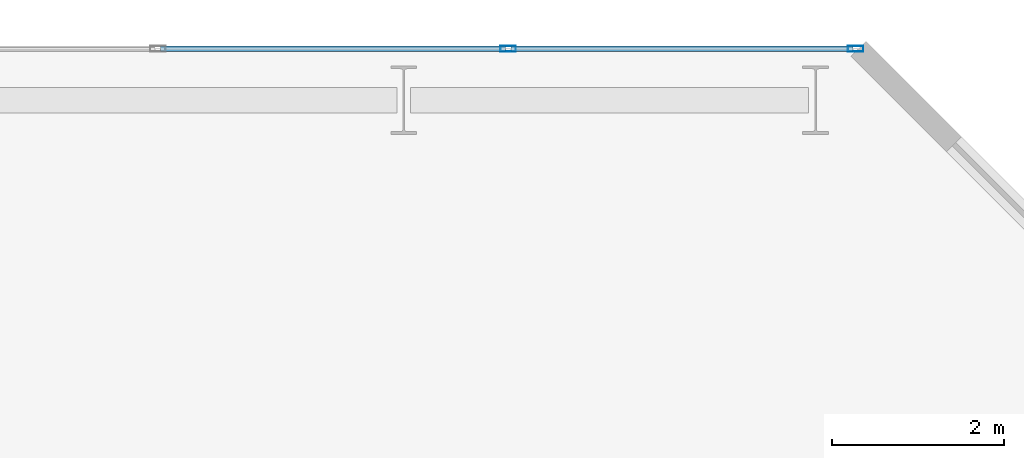
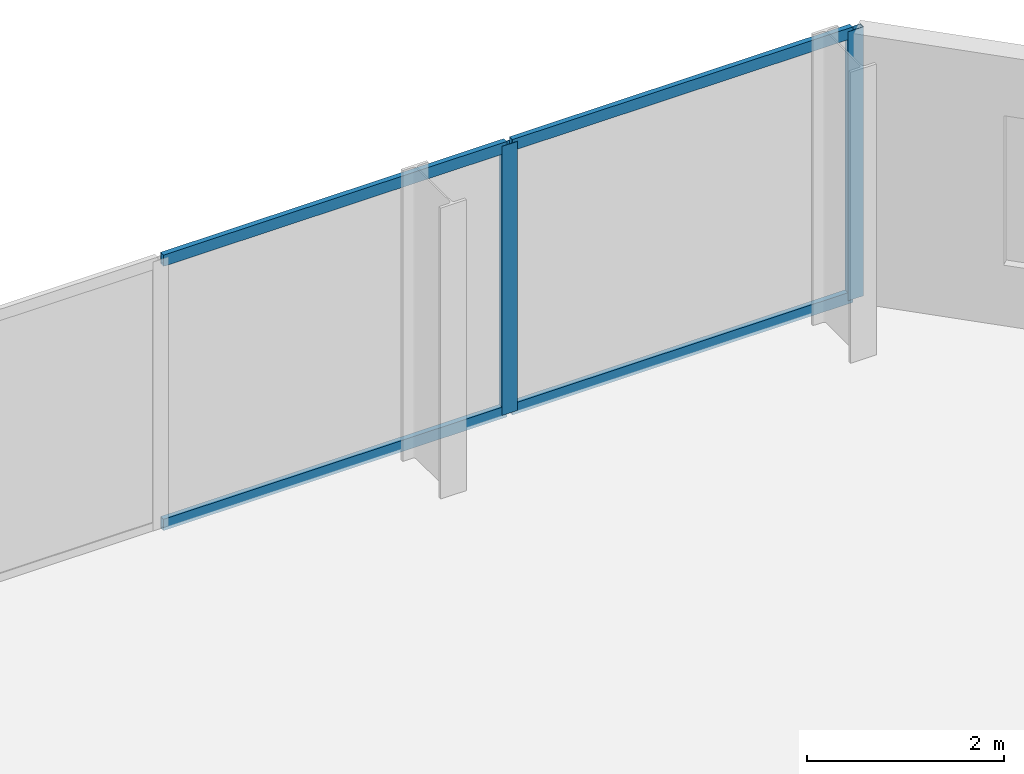
# One storey, part 27 of 33: 6 members, 1 element without a shape of its own.
"""IFC4 building model written with IfcOpenShell, lengths in metres."""

from ifc_helpers import new_model, si_unit, direction, frame, origin, origin_2d, place, context, subcontext, project, spatial, hollow_rectangle, extrude, material, layer, layer_set, material_profile, profile_set, type_object, element, aggregate, save


model = new_model("IFC4")

# Units and contexts
model_context = context("Model", 3, precision=1e-05, world=origin(), true_north=direction((0.0, 1.0)))
body_context = subcontext(model_context, "Body", "Model", "MODEL_VIEW")
ifc_project = project(units=[si_unit("LENGTHUNIT", "METRE"), si_unit("AREAUNIT", "SQUARE_METRE"), si_unit("VOLUMEUNIT", "CUBIC_METRE"), si_unit("PLANEANGLEUNIT", "RADIAN"), si_unit("MASSUNIT", "GRAM", prefix="KILO")], contexts=[model_context])

# Site, building, storey
site_placement = place(None, origin())
site = spatial("IfcSite", under=ifc_project, at=site_placement, CompositionType="ELEMENT")
building_placement = place(site_placement, origin())
building = spatial("IfcBuilding", under=site, at=building_placement, Name="Catumbela Crestline Tower", CompositionType="ELEMENT")
storey_placement = place(building_placement, frame((0.0, 0.0, 72.6)))
storey = spatial("IfcBuildingStorey", under=building, at=storey_placement, Name="L18", CompositionType="ELEMENT", Elevation=72.6)

# Curtain wall, members
ifc_material = material(Name="Aluminium alloy AW-6060-T66", Category="aluminium")
ifc_layer = layer(ifc_material, 0.18, Name="Aluminium alloy AW-6060-T66")
ifc_layer_set = layer_set([ifc_layer], Name="Aluminium alloy AW-6060-T66")
curtain_wall_type = type_object("IfcCurtainWallType", Name="CWU-Z1", PredefinedType="USERDEFINED", material=ifc_layer_set)
curtain_wall_placement = place(storey_placement, origin())
curtain_wall = element("IfcCurtainWall", 1, at=curtain_wall_placement, inside=storey, type_object=curtain_wall_type, Name="L18 Unitised Curtain Wall CW-L18-E7S1", ObjectType="UNITISED", PredefinedType="USERDEFINED")
ifc_material_profile_1 = material_profile(ifc_material, hollow_rectangle(XDim=0.065, YDim=0.18, WallThickness=0.004, at=origin_2d()), Name="ALU 180x65x4")
ifc_profile_set_1 = profile_set([ifc_material_profile_1], Name="Aluminium alloy AW-6060-T66")
member_type_1 = type_object("IfcMemberType", Name="MUL-180X65", PredefinedType="MULLION", material=ifc_profile_set_1)
member_1_placement = place(storey_placement, frame((52.4675, 48.0, 0.0), z_axis=(0.0, 0.0, 1.0), x_axis=(0.0, -1.0, 0.0)))
member_1 = element("IfcMember", 2, at=member_1_placement, type_object=member_type_1, Name="CWU-Z1 mullion 1", PredefinedType="MULLION", context=body_context, shape_type="SweptSolid", body=[
    extrude(hollow_rectangle(XDim=0.065, YDim=0.18, WallThickness=0.004, at=origin_2d()), origin(), (0.0, 0.0, 1.0), 3.33),
])
member_2_placement = place(storey_placement, frame((48.4167, 48.0, 0.0), z_axis=(0.0, 0.0, 1.0), x_axis=(0.0, -1.0, 0.0)))
member_2 = element("IfcMember", 3, at=member_2_placement, type_object=member_type_1, Name="CWU-Z1 mullion 2", PredefinedType="MULLION", context=body_context, shape_type="SweptSolid", body=[
    extrude(hollow_rectangle(XDim=0.065, YDim=0.18, WallThickness=0.004, at=origin_2d()), origin(), (0.0, 0.0, 1.0), 3.33),
])
ifc_material_profile_2 = material_profile(ifc_material, hollow_rectangle(XDim=0.06, YDim=0.14, WallThickness=0.004, at=origin_2d()), Name="ALU 140x60x4")
ifc_profile_set_2 = profile_set([ifc_material_profile_2], Name="Aluminium alloy AW-6060-T66")
member_type_2 = type_object("IfcMemberType", Name="TRN-140X60", PredefinedType="USERDEFINED", material=ifc_profile_set_2)
member_3_placement = place(storey_placement, frame((52.435, 48.0, 0.03), z_axis=(-1.0, 0.0, 0.0), x_axis=(0.0, -1.0, 0.0)))
member_3 = element("IfcMember", 4, at=member_3_placement, type_object=member_type_2, Name="CWU-Z1 transom 1.1", ObjectType="TRANSOM", PredefinedType="USERDEFINED", context=body_context, shape_type="SweptSolid", body=[
    extrude(hollow_rectangle(XDim=0.06, YDim=0.14, WallThickness=0.004, at=origin_2d()), origin(), (0.0, 0.0, 1.0), 3.9858),
])
member_4_placement = place(storey_placement, frame((52.435, 48.0, 3.3), z_axis=(-1.0, 0.0, 0.0), x_axis=(0.0, -1.0, 0.0)))
member_4 = element("IfcMember", 5, at=member_4_placement, type_object=member_type_2, Name="CWU-Z1 transom 1.2", ObjectType="TRANSOM", PredefinedType="USERDEFINED", context=body_context, shape_type="SweptSolid", body=[
    extrude(hollow_rectangle(XDim=0.06, YDim=0.14, WallThickness=0.004, at=origin_2d()), origin(), (0.0, 0.0, 1.0), 3.9858),
])
member_5_placement = place(storey_placement, frame((48.3842, 48.0, 0.03), z_axis=(-1.0, 0.0, 0.0), x_axis=(0.0, -1.0, 0.0)))
member_5 = element("IfcMember", 6, at=member_5_placement, type_object=member_type_2, Name="CWU-Z1 transom 2.1", ObjectType="TRANSOM", PredefinedType="USERDEFINED", context=body_context, shape_type="SweptSolid", body=[
    extrude(hollow_rectangle(XDim=0.06, YDim=0.14, WallThickness=0.004, at=origin_2d()), origin(), (0.0, 0.0, 1.0), 4.0184),
])
member_6_placement = place(storey_placement, frame((48.3842, 48.0, 3.3), z_axis=(-1.0, 0.0, 0.0), x_axis=(0.0, -1.0, 0.0)))
member_6 = element("IfcMember", 7, at=member_6_placement, type_object=member_type_2, Name="CWU-Z1 transom 2.2", ObjectType="TRANSOM", PredefinedType="USERDEFINED", context=body_context, shape_type="SweptSolid", body=[
    extrude(hollow_rectangle(XDim=0.06, YDim=0.14, WallThickness=0.004, at=origin_2d()), origin(), (0.0, 0.0, 1.0), 4.0184),
])
aggregate(curtain_wall, [member_1, member_2, member_3, member_4, member_5, member_6])

save(model, "model.ifc")
